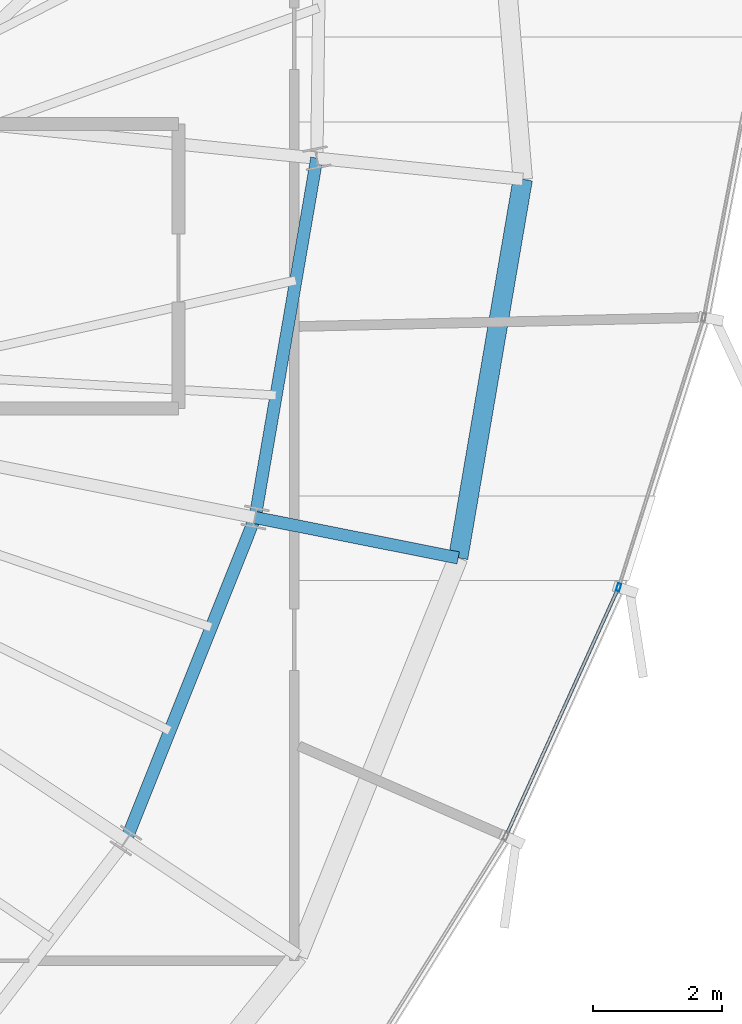
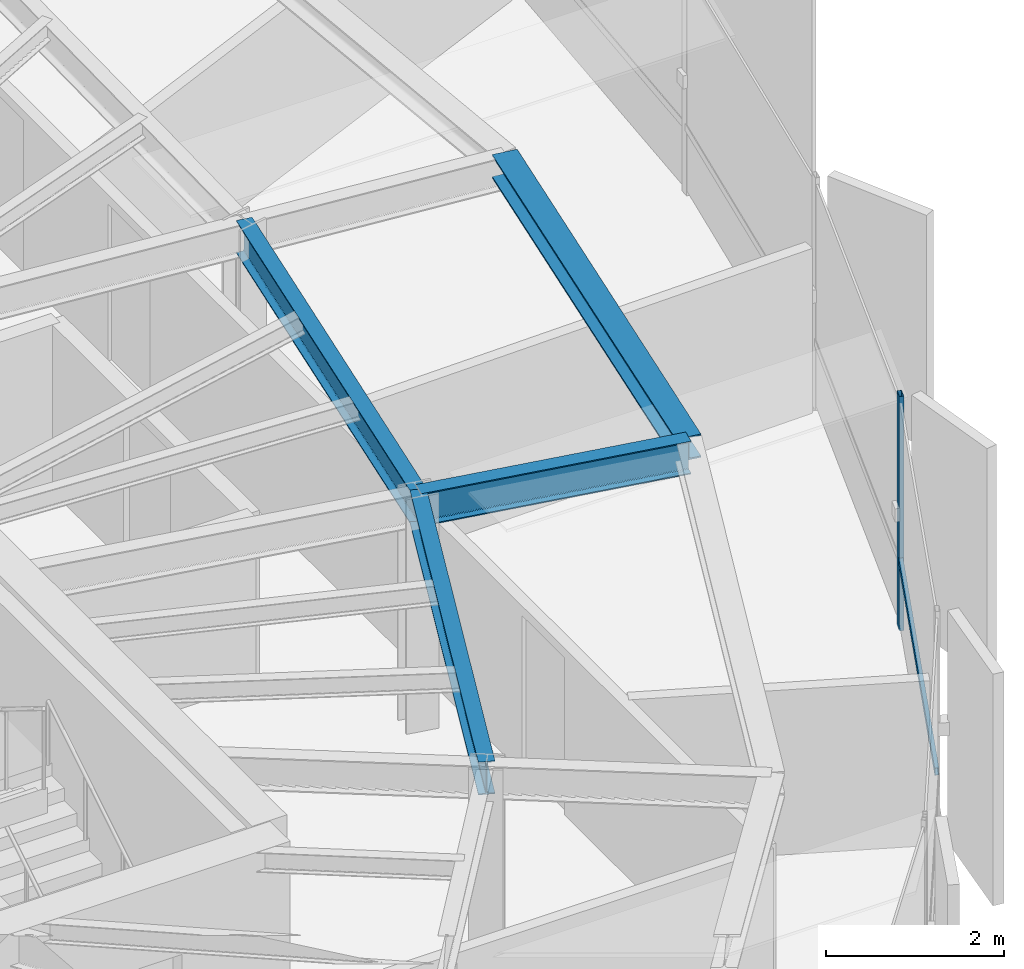
# One storey, part 14 of 32: 4 beams, 2 members, 1 element without a shape of its own.
"""IFC4 building model written with IfcOpenShell, lengths in metres."""

from ifc_helpers import new_model, si_unit, direction, frame, origin, origin_2d, place, context, subcontext, project, spatial, hollow_rectangle, i_section, extrude, source, transform, mapped, material, layer, layer_set, material_profile, profile_set, type_object, element, aggregate, save


model = new_model("IFC4")

# Units and contexts
model_context = context("Model", 3, precision=1e-05, world=origin(), true_north=direction((0.0, 1.0)))
body_context = subcontext(model_context, "Body", "Model", "MODEL_VIEW")
ifc_project = project(units=[si_unit("LENGTHUNIT", "METRE"), si_unit("AREAUNIT", "SQUARE_METRE"), si_unit("VOLUMEUNIT", "CUBIC_METRE"), si_unit("PLANEANGLEUNIT", "RADIAN"), si_unit("MASSUNIT", "GRAM", prefix="KILO"), si_unit("THERMODYNAMICTEMPERATUREUNIT", "KELVIN")], contexts=[model_context])

# Site, building, storey
site_placement = place(None, origin())
site = spatial("IfcSite", under=ifc_project, at=site_placement, CompositionType="ELEMENT")
building_placement = place(site_placement, origin())
building = spatial("IfcBuilding", under=site, at=building_placement, Name="Kethvar Cultural Tower", CompositionType="ELEMENT")
storey_placement = place(building_placement, frame((0.0, 0.0, 252.550048828125)))
storey = spatial("IfcBuildingStorey", under=building, at=storey_placement, Name="L66", CompositionType="ELEMENT", Elevation=252.550048828125)

# Beams
ifc_material_1 = material(Name="Steel S355J2", Category="steel")
ifc_material_profile_1 = material_profile(ifc_material_1, i_section(OverallWidth=0.18994140625, OverallDepth=0.449951171875, WebThickness=0.009521484375, FlangeThickness=0.0146484375, FilletRadius=0.02099609375, at=origin_2d()), Name="Steel S355J2 — IPE450")
ifc_profile_set_1 = profile_set([ifc_material_profile_1], Name="Steel S355J2 — IPE450")
beam_type_1 = type_object("IfcBeamType", Name="BM-IPE450", PredefinedType="BEAM", material=ifc_profile_set_1)
shared_shape_1 = source(origin(), body_context, "Body", "SweptSolid", [
    extrude(i_section(OverallWidth=0.18994140625, OverallDepth=0.449951171875, WebThickness=0.009521484375, FlangeThickness=0.0146484375, FilletRadius=0.02099609375, at=origin_2d()), origin(), (0.0, 0.0, 1.0), 3.199951171875),
])
beam_1_placement = place(storey_placement, frame((60.28369140625, 25.117919921875, 2.98291015625), z_axis=(0.980785550224, -0.195088965533, 0.0), x_axis=(0.195088965533, 0.980785550224, 0.0)))
element("IfcBeam", 1, at=beam_1_placement, inside=storey, type_object=beam_type_1, Name="L66 Perimeter Cantilever Beam RC-16", PredefinedType="BEAM", context=body_context, shape_type="MappedRepresentation", body=[
    mapped(shared_shape_1, transform((0.0, 0.0, 0.0), scale=1.0)),
])
shared_shape_2 = source(origin(), body_context, "Body", "SweptSolid", [
    extrude(i_section(OverallWidth=0.18994140625, OverallDepth=0.449951171875, WebThickness=0.009521484375, FlangeThickness=0.0146484375, FilletRadius=0.02099609375, at=origin_2d()), origin(), (0.0, 0.0, 1.0), 5.377685546875),
])
beam_2_placement = place(storey_placement, frame((58.287109375, 20.12451171875, 2.98291015625), z_axis=(0.371265436914, 0.928526776864, 0.0), x_axis=(-0.928526776864, 0.371265436914, 0.0)))
element("IfcBeam", 2, at=beam_2_placement, inside=storey, type_object=beam_type_1, Name="L66 Column Ring Tie Beam CR-15", PredefinedType="BEAM", context=body_context, shape_type="MappedRepresentation", body=[
    mapped(shared_shape_2, transform((0.0, 0.0, 0.0), scale=1.0)),
])
shared_shape_3 = source(origin(), body_context, "Body", "SweptSolid", [
    extrude(i_section(OverallWidth=0.18994140625, OverallDepth=0.449951171875, WebThickness=0.009521484375, FlangeThickness=0.0146484375, FilletRadius=0.02099609375, at=origin_2d()), origin(), (0.0, 0.0, 1.0), 5.635009765625),
])
beam_3_placement = place(storey_placement, frame((60.28369140625, 25.117919921875, 2.98291015625), z_axis=(0.169188687614, 0.985583678834, 0.0), x_axis=(-0.985583678834, 0.169188687614, 0.0)))
element("IfcBeam", 3, at=beam_3_placement, inside=storey, type_object=beam_type_1, Name="L66 Column Ring Tie Beam CR-16", PredefinedType="BEAM", context=body_context, shape_type="MappedRepresentation", body=[
    mapped(shared_shape_3, transform((0.0, 0.0, 0.0), scale=1.0)),
])
ifc_material_profile_2 = material_profile(ifc_material_1, i_section(OverallWidth=0.300048828125, OverallDepth=0.320068359375, WebThickness=0.011474609375, FlangeThickness=0.0205078125, FilletRadius=0.027099609375, at=origin_2d()), Name="Steel S355J2 — HEB320")
ifc_profile_set_2 = profile_set([ifc_material_profile_2], Name="Steel S355J2 — HEB320")
beam_type_2 = type_object("IfcBeamType", Name="BM-SP320", PredefinedType="SPANDREL", material=ifc_profile_set_2)
shared_shape_4 = source(origin(), body_context, "Body", "SweptSolid", [
    extrude(i_section(OverallWidth=0.300048828125, OverallDepth=0.320068359375, WebThickness=0.011474609375, FlangeThickness=0.0205078125, FilletRadius=0.027099609375, at=origin_2d()), origin(), (0.0, 0.0, 1.0), 5.93603515625),
])
beam_4_placement = place(storey_placement, frame((63.422119140625, 24.49365234375, 3.0478515625), z_axis=(0.16817267321, 0.985757552335, 0.0), x_axis=(-0.985757552335, 0.16817267321, 0.0)))
element("IfcBeam", 4, at=beam_4_placement, inside=storey, type_object=beam_type_2, Name="L66 Perimeter Spandrel Beam SP-16", PredefinedType="SPANDREL", context=body_context, shape_type="MappedRepresentation", body=[
    mapped(shared_shape_4, transform((0.0, 0.0, 0.0), scale=1.0)),
])

# Curtain wall, members
ifc_material_2 = material(Name="Aluminium 6063-T6", Category="aluminium")
ifc_layer = layer(ifc_material_2, 0.179931640625, Name="Aluminium 6063-T6", Category="aluminium")
ifc_layer_set = layer_set([ifc_layer], Name="Aluminium 6063-T6 (180 mm)")
curtain_wall_type = type_object("IfcCurtainWallType", Name="CW-SYS-05-Z56", PredefinedType="NOTDEFINED", material=ifc_layer_set)
curtain_wall_placement = place(storey_placement, origin())
curtain_wall = element("IfcCurtainWall", 5, at=curtain_wall_placement, inside=storey, type_object=curtain_wall_type, Name="L66 Curtain Wall Run 06", PredefinedType="NOTDEFINED")
ifc_material_profile_3 = material_profile(ifc_material_2, hollow_rectangle(XDim=0.054931640625, YDim=0.1201171875, WallThickness=0.00390625, at=origin_2d()), Name="Aluminium 6063-T6 — RHS120x55x4")
ifc_profile_set_3 = profile_set([ifc_material_profile_3], Name="Aluminium 6063-T6 — RHS120x55x4")
member_type_1 = type_object("IfcMemberType", Name="CW-SYS-05-Z56-MUL", PredefinedType="MULLION", material=ifc_profile_set_3)
shared_shape_5 = source(origin(), body_context, "Body", "SweptSolid", [
    extrude(hollow_rectangle(XDim=0.054931640625, YDim=0.1201171875, WallThickness=0.00390625, at=origin_2d()), origin(), (0.0, 0.0, 1.0), 3.2099609375),
])
member_1_placement = place(storey_placement, frame((65.901611328125, 24.035888671875, 0.0), z_axis=(0.0, 0.0, 1.0), x_axis=(-0.953695955199, 0.300772380775, 0.0)))
member_1 = element("IfcMember", 6, at=member_1_placement, type_object=member_type_1, Name="CW-L66-R06 Mullion 3", PredefinedType="MULLION", context=body_context, shape_type="MappedRepresentation", body=[
    mapped(shared_shape_5, transform((0.0, 0.0, 0.0), scale=1.0)),
])
ifc_material_profile_4 = material_profile(ifc_material_2, hollow_rectangle(XDim=0.050048828125, YDim=0.10009765625, WallThickness=0.00390625, at=origin_2d()), Name="Aluminium 6063-T6 — RHS100x50x4")
ifc_profile_set_4 = profile_set([ifc_material_profile_4], Name="Aluminium 6063-T6 — RHS100x50x4")
member_type_2 = type_object("IfcMemberType", Name="CW-SYS-05-Z56-TRN", PredefinedType="USERDEFINED", material=ifc_profile_set_4)
shared_shape_6 = source(origin(), body_context, "Body", "SweptSolid", [
    extrude(hollow_rectangle(XDim=0.050048828125, YDim=0.10009765625, WallThickness=0.00390625, at=origin_2d()), origin(), (0.0, 0.0, 1.0), 4.15771484375),
])
member_2_placement = place(storey_placement, frame((64.1728515625, 20.224365234375, 0.949951171875), z_axis=(0.412926762649, 0.910764233316, 0.0), x_axis=(-0.910764233316, 0.412926762649, 0.0)))
member_2 = element("IfcMember", 7, at=member_2_placement, type_object=member_type_2, Name="CW-L66-R06 Transom 2", ObjectType="TRANSOM", PredefinedType="USERDEFINED", context=body_context, shape_type="MappedRepresentation", body=[
    mapped(shared_shape_6, transform((0.0, 0.0, 0.0), scale=1.0)),
])
aggregate(curtain_wall, [member_1, member_2])

save(model, "model.ifc")
